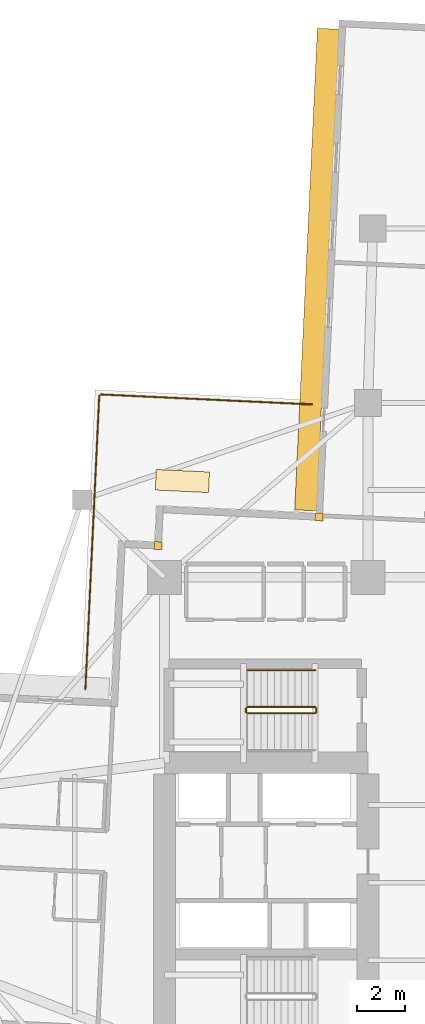
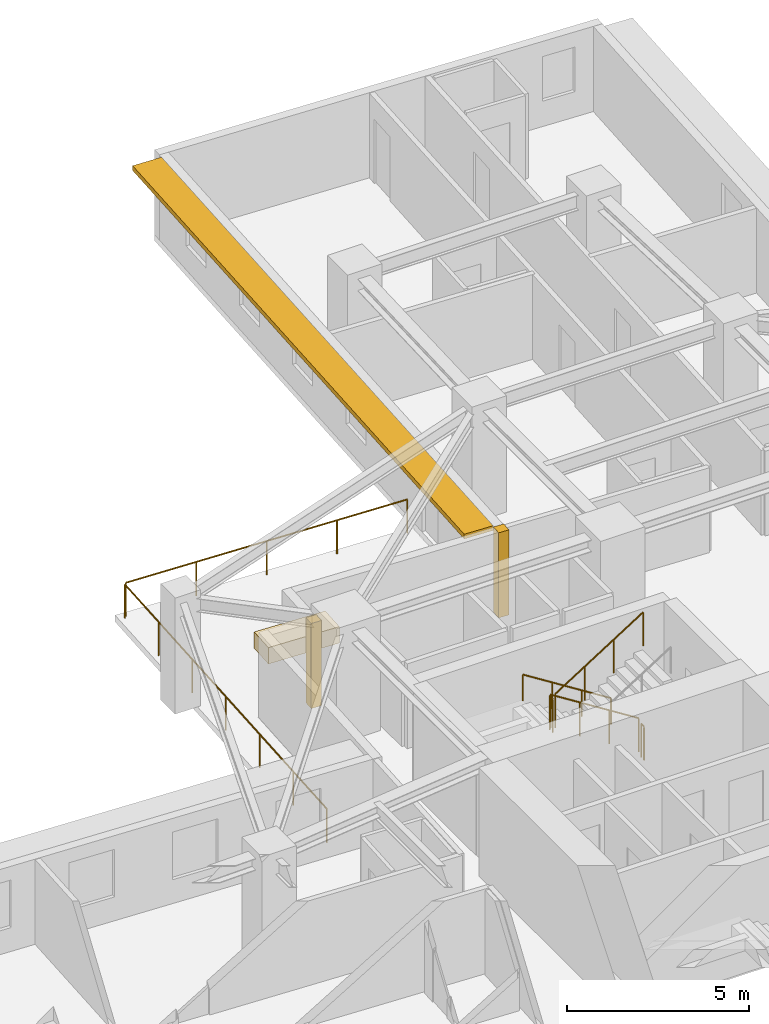
# One storey, part 12 of 13: 7 railings, 3 coverings, 1 shading device.
"""IFC4 building model written with IfcOpenShell, lengths in metres."""

from ifc_helpers import new_model, si_unit, direction, frame, origin, origin_2d, place, context, subcontext, project, spatial, rectangle, circle, extrude, material, layer, layer_set, type_object, element, save


model = new_model("IFC4")

# Units and contexts
model_context = context("Model", 3, precision=1e-05, world=origin(), true_north=direction((0.0, 1.0)))
body_context = subcontext(model_context, "Body", "Model", "MODEL_VIEW")
ifc_project = project(units=[si_unit("LENGTHUNIT", "METRE"), si_unit("AREAUNIT", "SQUARE_METRE"), si_unit("VOLUMEUNIT", "CUBIC_METRE"), si_unit("PLANEANGLEUNIT", "RADIAN"), si_unit("MASSUNIT", "GRAM", prefix="KILO")], contexts=[model_context])

# Site, building, storey
site_placement = place(None, origin())
site = spatial("IfcSite", under=ifc_project, at=site_placement, CompositionType="ELEMENT")
building_placement = place(site_placement, origin())
building = spatial("IfcBuilding", under=site, at=building_placement, Name="Qingluan Cross Belvedere", CompositionType="ELEMENT")
storey_placement = place(building_placement, frame((0.0, 0.0, 91.199951171875)))
storey = spatial("IfcBuildingStorey", under=building, at=storey_placement, Name="L23", CompositionType="ELEMENT", Elevation=91.199951171875)

# Coverings
ifc_material_1 = material(Name="Precast concrete C45", Category="concrete")
ifc_layer_1 = layer(ifc_material_1, 0.1201171875, Name="ConcreteSpandrelCladding_120")
ifc_layer_set_1 = layer_set([ifc_layer_1], Name="Precast concrete C45")
covering_type_1 = type_object("IfcCoveringType", Name="ConcreteSpandrelCladding_120", PredefinedType="CLADDING", material=ifc_layer_set_1)
for number, where, z_axis, x_axis, name in (
    (1, (-12.65869140625, 13.911865234375, 0.0), (0.0, 0.0, 1.0), (0.998889874962, -0.04710645071, 0.0), "Corner closure L23-NW1"),
    (2, (-6.015380859375, 15.10009765625, 0.0), (0.0, 0.0, 1.0), (0.998889874962, -0.04710645071, 0.0), "Corner closure L23-NW2"),
):
    element("IfcCovering", number, at=place(storey_placement, frame(where, z_axis=z_axis, x_axis=x_axis)), inside=storey, type_object=covering_type_1, Name=name, PredefinedType="CLADDING", context=body_context, shape_type="SweptSolid", body=[
        extrude(rectangle(XDim=0.320068359375, YDim=0.320068359375, at=origin_2d()), origin(), (0.0, 0.0, 1.0), 2.860107421875),
    ])

# Shading device
ifc_material_2 = material(Name="Precast concrete C45", Category="concrete")
ifc_layer_2 = layer(ifc_material_2, 0.159912109375, Name="ConcreteSunshadeBand_900")
ifc_layer_set_2 = layer_set([ifc_layer_2], Name="Precast concrete C45")
shading_device_type = type_object("IfcShadingDeviceType", Name="ConcreteSunshadeBand_900", PredefinedType="USERDEFINED", material=ifc_layer_set_2)
shading_device_placement = place(storey_placement, frame((-6.104736328125, 25.3056640625, 2.68017578125), z_axis=(0.0, 0.0, 1.0), x_axis=(-0.04710941444, -0.998889735192, 0.0)))
element("IfcShadingDevice", 3, at=shading_device_placement, inside=storey, type_object=shading_device_type, Name="Concrete SUNSHADE L23-NB", ObjectType="SUNSHADE", PredefinedType="USERDEFINED", context=body_context, shape_type="SweptSolid", body=[
    extrude(rectangle(XDim=19.89990234375, YDim=0.89990234375, at=origin_2d()), origin(), (0.0, 0.0, 1.0), 0.159912109375),
])

# Railings
ifc_material_3 = material(Name="Brushed stainless steel tubular handrail", Category="steel")
railing_type_1 = type_object("IfcRailingType", Name="StairPitchHandrail_900", PredefinedType="HANDRAIL", material=ifc_material_3)
railing_1_placement = place(storey_placement, frame((-6.179931640625, 8.77001953125, 0.17724609375)))
element("IfcRailing", 4, at=railing_1_placement, inside=storey, type_object=railing_type_1, Name="L23 ST3 stair handrail 1", PredefinedType="HANDRAIL", context=body_context, shape_type="SweptSolid", body=[
    extrude(circle(Radius=0.02392578125, at=origin_2d()), frame((0.0, 0.0, 0.8759765625), z_axis=(-0.844908973607, 0.0, 0.534910110503), x_axis=(0.0, -1.0, 0.0)), (0.0, 0.0, 1.0), 3.31396484375),
    extrude(circle(Radius=0.02099609375, at=origin_2d()), origin(), (0.0, 0.0, 1.0), 0.851806640625),
    extrude(circle(Radius=0.02099609375, at=origin_2d()), frame((-0.933349609375, 0.0, 0.5908203125)), (0.0, 0.0, 1.0), 0.851806640625),
    extrude(circle(Radius=0.02099609375, at=origin_2d()), frame((-1.86669921875, 0.0, 1.181884765625)), (0.0, 0.0, 1.0), 0.851806640625),
    extrude(circle(Radius=0.02099609375, at=origin_2d()), frame((-2.800048828125, 0.0, 1.772705078125)), (0.0, 0.0, 1.0), 0.851806640625),
])
ifc_material_4 = material(Name="Painted steel stair well guard", Category="steel")
railing_type_2 = type_object("IfcRailingType", Name="StairWellGuard_1150", PredefinedType="BALUSTRADE", material=ifc_material_4)
railing_2_placement = place(storey_placement, frame((-6.179931640625, 7.25, 0.17724609375)))
element("IfcRailing", 5, at=railing_2_placement, inside=storey, type_object=railing_type_2, Name="L23 ST3 stair guard 1", PredefinedType="BALUSTRADE", context=body_context, shape_type="SweptSolid", body=[
    extrude(circle(Radius=0.02392578125, at=origin_2d()), frame((0.0, 0.0, 1.1259765625), z_axis=(-0.844908973607, 0.0, 0.534910110503), x_axis=(0.0, -1.0, 0.0)), (0.0, 0.0, 1.0), 3.31396484375),
    extrude(circle(Radius=0.02099609375, at=origin_2d()), origin(), (0.0, 0.0, 1.0), 1.101806640625),
    extrude(circle(Radius=0.02099609375, at=origin_2d()), frame((-0.933349609375, 0.0, 0.5908203125)), (0.0, 0.0, 1.0), 1.101806640625),
    extrude(circle(Radius=0.02099609375, at=origin_2d()), frame((-1.86669921875, 0.0, 1.181884765625)), (0.0, 0.0, 1.0), 1.101806640625),
    extrude(circle(Radius=0.02099609375, at=origin_2d()), frame((-2.800048828125, 0.0, 1.772705078125)), (0.0, 0.0, 1.0), 1.101806640625),
])
railing_3_placement = place(storey_placement, frame((-9.030029296875, 7.199951171875, 1.949951171875)))
element("IfcRailing", 6, at=railing_3_placement, inside=storey, type_object=railing_type_2, Name="L23 ST3 stair guard 2", PredefinedType="BALUSTRADE", context=body_context, shape_type="SweptSolid", body=[
    extrude(circle(Radius=0.02392578125, at=origin_2d()), frame((0.0, 0.0, 1.1259765625), z_axis=(0.0, -1.0, 0.0), x_axis=(1.0, 0.0, 0.0)), (0.0, 0.0, 1.0), 0.159912109375),
    extrude(circle(Radius=0.02099609375, at=origin_2d()), origin(), (0.0, 0.0, 1.0), 1.101806640625),
    extrude(circle(Radius=0.02099609375, at=origin_2d()), frame((0.0, -0.159912109375, 0.0)), (0.0, 0.0, 1.0), 1.101806640625),
])
railing_4_placement = place(storey_placement, frame((-8.97998046875, 6.989990234375, 2.12744140625)))
element("IfcRailing", 7, at=railing_4_placement, inside=storey, type_object=railing_type_2, Name="L23 ST3 stair guard 3", PredefinedType="BALUSTRADE", context=body_context, shape_type="SweptSolid", body=[
    extrude(circle(Radius=0.02392578125, at=origin_2d()), frame((0.0, 0.0, 1.1259765625), z_axis=(0.844908973607, 0.0, 0.534910110503), x_axis=(0.0, 1.0, 0.0)), (0.0, 0.0, 1.0), 3.31396484375),
    extrude(circle(Radius=0.02099609375, at=origin_2d()), origin(), (0.0, 0.0, 1.0), 1.101806640625),
    extrude(circle(Radius=0.02099609375, at=origin_2d()), frame((0.933349609375, 0.0, 0.5908203125)), (0.0, 0.0, 1.0), 1.101806640625),
    extrude(circle(Radius=0.02099609375, at=origin_2d()), frame((1.86669921875, 0.0, 1.181884765625)), (0.0, 0.0, 1.0), 1.101806640625),
    extrude(circle(Radius=0.02099609375, at=origin_2d()), frame((2.800048828125, 0.0, 1.772705078125)), (0.0, 0.0, 1.0), 1.101806640625),
])
railing_5_placement = place(storey_placement, frame((-6.1298828125, 7.199951171875, 0.0)))
element("IfcRailing", 8, at=railing_5_placement, inside=storey, type_object=railing_type_2, Name="L23 ST3 stair guard 4", PredefinedType="BALUSTRADE", context=body_context, shape_type="SweptSolid", body=[
    extrude(circle(Radius=0.02392578125, at=origin_2d()), frame((0.0, 0.0, 1.1259765625), z_axis=(0.0, -1.0, 0.0), x_axis=(1.0, 0.0, 0.0)), (0.0, 0.0, 1.0), 0.159912109375),
    extrude(circle(Radius=0.02099609375, at=origin_2d()), origin(), (0.0, 0.0, 1.0), 1.101806640625),
    extrude(circle(Radius=0.02099609375, at=origin_2d()), frame((0.0, -0.159912109375, 0.0)), (0.0, 0.0, 1.0), 1.101806640625),
])
ifc_material_5 = material(Name="Laminated glass and stainless steel balustrade", Category="steel")
railing_type_3 = type_object("IfcRailingType", Name="TerraceGuardBalustrade_1150", PredefinedType="BALUSTRADE", material=ifc_material_5)
railing_6_placement = place(storey_placement, frame((-15.6611328125, 7.98681640625, 0.0)))
element("IfcRailing", 9, at=railing_6_placement, inside=storey, type_object=railing_type_3, Name="Terrace guard L23-1", PredefinedType="BALUSTRADE", context=body_context, shape_type="SweptSolid", body=[
    extrude(circle(Radius=0.02392578125, at=origin_2d()), frame((0.0, 0.0, 1.1259765625), z_axis=(0.047116284841, 0.998889411148, 0.0), x_axis=(-0.998889411148, 0.047116284841, 0.0)), (0.0, 0.0, 1.0), 12.119873046875),
    extrude(circle(Radius=0.02099609375, at=origin_2d()), origin(), (0.0, 0.0, 1.0), 1.101806640625),
    extrude(circle(Radius=0.02099609375, at=origin_2d()), frame((0.09521484375, 2.017822265625, 0.0)), (0.0, 0.0, 1.0), 1.101806640625),
    extrude(circle(Radius=0.02099609375, at=origin_2d()), frame((0.1904296875, 4.035400390625, 0.0)), (0.0, 0.0, 1.0), 1.101806640625),
    extrude(circle(Radius=0.02099609375, at=origin_2d()), frame((0.28564453125, 6.05322265625, 0.0)), (0.0, 0.0, 1.0), 1.101806640625),
    extrude(circle(Radius=0.02099609375, at=origin_2d()), frame((0.380615234375, 8.071044921875, 0.0)), (0.0, 0.0, 1.0), 1.101806640625),
    extrude(circle(Radius=0.02099609375, at=origin_2d()), frame((0.475830078125, 10.088623046875, 0.0)), (0.0, 0.0, 1.0), 1.101806640625),
    extrude(circle(Radius=0.02099609375, at=origin_2d()), frame((0.571044921875, 12.1064453125, 0.0)), (0.0, 0.0, 1.0), 1.101806640625),
])
railing_7_placement = place(storey_placement, frame((-15.02734375, 20.150390625, 0.0)))
element("IfcRailing", 10, at=railing_7_placement, inside=storey, type_object=railing_type_3, Name="Terrace guard L23-2", PredefinedType="BALUSTRADE", context=body_context, shape_type="SweptSolid", body=[
    extrude(circle(Radius=0.02392578125, at=origin_2d()), frame((0.0, 0.0, 1.1259765625), z_axis=(0.998889195869, -0.047120848632, 0.0), x_axis=(0.047120848632, 0.998889195869, 0.0)), (0.0, 0.0, 1.0), 8.719970703125),
    extrude(circle(Radius=0.02099609375, at=origin_2d()), origin(), (0.0, 0.0, 1.0), 1.101806640625),
    extrude(circle(Radius=0.02099609375, at=origin_2d()), frame((2.177490234375, -0.102783203125, 0.0)), (0.0, 0.0, 1.0), 1.101806640625),
    extrude(circle(Radius=0.02099609375, at=origin_2d()), frame((4.35498046875, -0.20556640625, 0.0)), (0.0, 0.0, 1.0), 1.101806640625),
    extrude(circle(Radius=0.02099609375, at=origin_2d()), frame((6.53271484375, -0.30810546875, 0.0)), (0.0, 0.0, 1.0), 1.101806640625),
    extrude(circle(Radius=0.02099609375, at=origin_2d()), frame((8.710205078125, -0.410888671875, 0.0)), (0.0, 0.0, 1.0), 1.101806640625),
])

# Covering
ifc_material_6 = material(Name="Precast concrete C40", Category="concrete")
ifc_layer_3 = layer(ifc_material_6, 0.550048828125, Name="TerracePlanterBox")
ifc_layer_set_3 = layer_set([ifc_layer_3], Name="Precast concrete C40")
covering_type_2 = type_object("IfcCoveringType", Name="TerracePlanterBox", PredefinedType="USERDEFINED", material=ifc_layer_set_3)
covering_placement = place(storey_placement, frame((-11.656982421875, 16.576904296875, 0.0), z_axis=(0.0, 0.0, 1.0), x_axis=(0.998889874962, -0.04710645071, 0.0)))
element("IfcCovering", 11, at=covering_placement, inside=storey, type_object=covering_type_2, Name="Spiralling winter-garden planter L23", ObjectType="PLANTER", PredefinedType="USERDEFINED", context=body_context, shape_type="SweptSolid", body=[
    extrude(rectangle(XDim=2.199951171875, YDim=0.85009765625, at=origin_2d()), origin(), (0.0, 0.0, 1.0), 0.550048828125),
])

save(model, "model.ifc")
